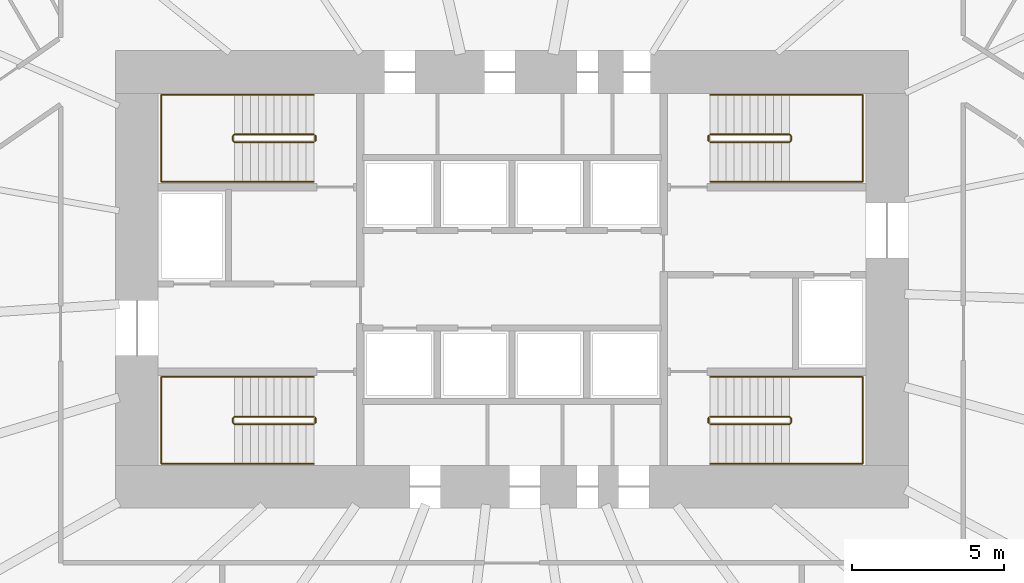
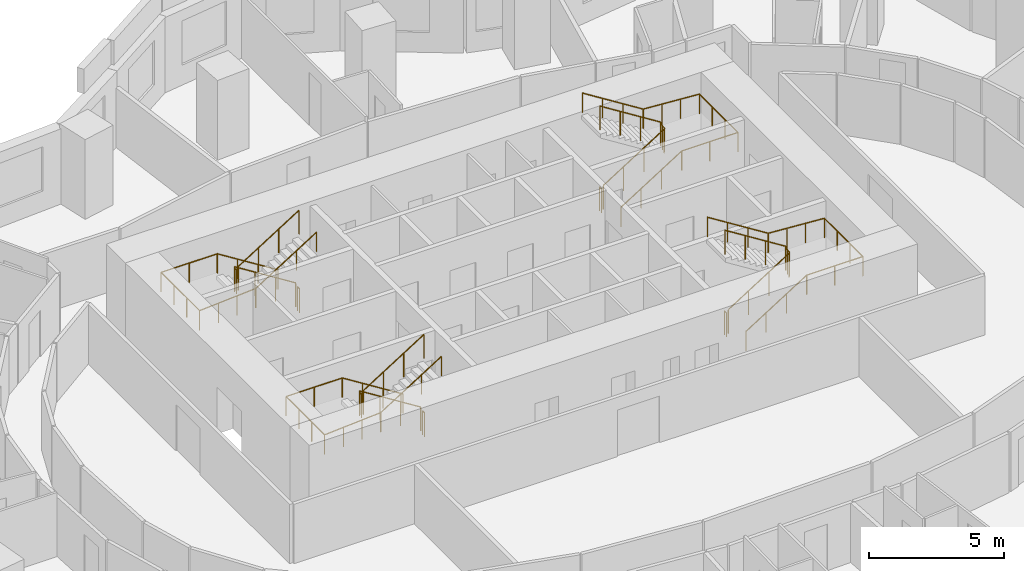
# One storey, part 11 of 11: 12 railings.
"""IFC4 building model written with IfcOpenShell, lengths in metres."""

from ifc_helpers import new_model, si_unit, direction, frame, origin, origin_2d, place, context, subcontext, project, spatial, circle, extrude, material, type_object, element, save


model = new_model("IFC4")

# Units and contexts
model_context = context("Model", 3, precision=1e-05, world=origin(), true_north=direction((0.0, 1.0)))
body_context = subcontext(model_context, "Body", "Model", "MODEL_VIEW")
ifc_project = project(units=[si_unit("LENGTHUNIT", "METRE"), si_unit("AREAUNIT", "SQUARE_METRE"), si_unit("VOLUMEUNIT", "CUBIC_METRE"), si_unit("PLANEANGLEUNIT", "RADIAN"), si_unit("MASSUNIT", "GRAM", prefix="KILO")], contexts=[model_context])

# Site, building, storey
site_placement = place(None, origin())
site = spatial("IfcSite", under=ifc_project, at=site_placement, CompositionType="ELEMENT")
building_placement = place(site_placement, origin())
building = spatial("IfcBuilding", under=site, at=building_placement, Name="Rubra Terraces Tower", CompositionType="ELEMENT")
storey_placement = place(building_placement, frame((0.0, 0.0, 59.10009765625)))
storey = spatial("IfcBuildingStorey", under=building, at=storey_placement, Name="L12", CompositionType="ELEMENT", Elevation=59.10009765625)

# Railings
ifc_material = material(Name="Stainless steel", Category="steel")
railing_type_1 = type_object("IfcRailingType", Name="Core stair guard 1100", PredefinedType="GUARDRAIL", material=ifc_material)
railing_1_placement = place(storey_placement, frame((-6.5, 0.0, 0.16357421875)))
element("IfcRailing", 1, at=railing_1_placement, inside=storey, type_object=railing_type_1, Name="L12 stair S1 guard 1", PredefinedType="GUARDRAIL", context=body_context, shape_type="SweptSolid", body=[
    extrude(circle(Radius=0.02392578125, at=origin_2d()), frame((0.0, 0.0, 1.076171875), z_axis=(-0.846360218416, 0.0, 0.532610909279), x_axis=(0.0, -1.0, 0.0)), (0.0, 0.0, 1.0), 3.072021484375),
    extrude(circle(Radius=0.02392578125, at=origin_2d()), frame((-2.60009765625, 0.0, 2.71240234375), z_axis=(-0.705375805398, -0.708833529934, 0.0), x_axis=(0.708833529934, -0.705375805398, 0.0)), (0.0, 0.0, 1.0), 0.070556640625),
    extrude(circle(Radius=0.02392578125, at=origin_2d()), frame((-2.64990234375, -0.050048828125, 2.71240234375), z_axis=(0.0, -1.0, 0.0), x_axis=(1.0, 0.0, 0.0)), (0.0, 0.0, 1.0), 0.14990234375),
    extrude(circle(Radius=0.02392578125, at=origin_2d()), frame((-2.64990234375, -0.199951171875, 2.71240234375), z_axis=(0.279194930351, -0.280563532951, 0.91833234444), x_axis=(0.708833529934, 0.705375805398, 0.0)), (0.0, 0.0, 1.0), 0.178466796875),
    extrude(circle(Radius=0.02392578125, at=origin_2d()), frame((-2.60009765625, -0.25, 2.8759765625), z_axis=(0.846360218416, 0.0, 0.532610909279), x_axis=(0.0, 1.0, 0.0)), (0.0, 0.0, 1.0), 3.072021484375),
    extrude(circle(Radius=0.02099609375, at=origin_2d()), origin(), (0.0, 0.0, 1.0), 1.052001953125),
    extrude(circle(Radius=0.02099609375, at=origin_2d()), frame((-0.86669921875, 0.0, 0.54541015625)), (0.0, 0.0, 1.0), 1.052001953125),
    extrude(circle(Radius=0.02099609375, at=origin_2d()), frame((-1.7333984375, 0.0, 1.0908203125)), (0.0, 0.0, 1.0), 1.052001953125),
    extrude(circle(Radius=0.02099609375, at=origin_2d()), frame((-2.60009765625, 0.0, 1.63623046875)), (0.0, 0.0, 1.0), 1.052001953125),
    extrude(circle(Radius=0.02099609375, at=origin_2d()), frame((-2.64990234375, -0.050048828125, 1.63623046875)), (0.0, 0.0, 1.0), 1.052001953125),
    extrude(circle(Radius=0.02099609375, at=origin_2d()), frame((-2.64990234375, -0.199951171875, 1.63623046875)), (0.0, 0.0, 1.0), 1.052001953125),
    extrude(circle(Radius=0.02099609375, at=origin_2d()), frame((-2.60009765625, -0.25, 1.800048828125)), (0.0, 0.0, 1.0), 1.052001953125),
    extrude(circle(Radius=0.02099609375, at=origin_2d()), frame((-1.7333984375, -0.25, 2.345458984375)), (0.0, 0.0, 1.0), 1.052001953125),
    extrude(circle(Radius=0.02099609375, at=origin_2d()), frame((-0.86669921875, -0.25, 2.890869140625)), (0.0, 0.0, 1.0), 1.052001953125),
    extrude(circle(Radius=0.02099609375, at=origin_2d()), frame((0.0, -0.25, 3.436279296875)), (0.0, 0.0, 1.0), 1.052001953125),
])
railing_2_placement = place(storey_placement, frame((-6.449951171875, -0.050048828125, 0.0)))
element("IfcRailing", 2, at=railing_2_placement, inside=storey, type_object=railing_type_1, Name="L12 stair S1 guard 2", PredefinedType="GUARDRAIL", context=body_context, shape_type="SweptSolid", body=[
    extrude(circle(Radius=0.02392578125, at=origin_2d()), frame((0.0, 0.0, 1.076171875), z_axis=(0.0, -1.0, 0.0), x_axis=(1.0, 0.0, 0.0)), (0.0, 0.0, 1.0), 0.14990234375),
    extrude(circle(Radius=0.02099609375, at=origin_2d()), origin(), (0.0, 0.0, 1.0), 1.052001953125),
    extrude(circle(Radius=0.02099609375, at=origin_2d()), frame((0.0, -0.14990234375, 0.0)), (0.0, 0.0, 1.0), 1.052001953125),
])
railing_3_placement = place(storey_placement, frame((-6.5, 9.25, 0.16357421875)))
element("IfcRailing", 3, at=railing_3_placement, inside=storey, type_object=railing_type_1, Name="L12 stair S2 guard 1", PredefinedType="GUARDRAIL", context=body_context, shape_type="SweptSolid", body=[
    extrude(circle(Radius=0.02392578125, at=origin_2d()), frame((0.0, 0.0, 1.076171875), z_axis=(-0.846360218416, 0.0, 0.532610909279), x_axis=(0.0, -1.0, 0.0)), (0.0, 0.0, 1.0), 3.072021484375),
    extrude(circle(Radius=0.02392578125, at=origin_2d()), frame((-2.60009765625, 0.0, 2.71240234375), z_axis=(-0.705375805398, -0.708833529934, 0.0), x_axis=(0.708833529934, -0.705375805398, 0.0)), (0.0, 0.0, 1.0), 0.070556640625),
    extrude(circle(Radius=0.02392578125, at=origin_2d()), frame((-2.64990234375, -0.050048828125, 2.71240234375), z_axis=(0.0, -1.0, 0.0), x_axis=(1.0, 0.0, 0.0)), (0.0, 0.0, 1.0), 0.14990234375),
    extrude(circle(Radius=0.02392578125, at=origin_2d()), frame((-2.64990234375, -0.199951171875, 2.71240234375), z_axis=(0.279194930351, -0.280563532951, 0.91833234444), x_axis=(0.708833529934, 0.705375805398, 0.0)), (0.0, 0.0, 1.0), 0.178466796875),
    extrude(circle(Radius=0.02392578125, at=origin_2d()), frame((-2.60009765625, -0.25, 2.8759765625), z_axis=(0.846360218416, 0.0, 0.532610909279), x_axis=(0.0, 1.0, 0.0)), (0.0, 0.0, 1.0), 3.072021484375),
    extrude(circle(Radius=0.02099609375, at=origin_2d()), origin(), (0.0, 0.0, 1.0), 1.052001953125),
    extrude(circle(Radius=0.02099609375, at=origin_2d()), frame((-0.86669921875, 0.0, 0.54541015625)), (0.0, 0.0, 1.0), 1.052001953125),
    extrude(circle(Radius=0.02099609375, at=origin_2d()), frame((-1.7333984375, 0.0, 1.0908203125)), (0.0, 0.0, 1.0), 1.052001953125),
    extrude(circle(Radius=0.02099609375, at=origin_2d()), frame((-2.60009765625, 0.0, 1.63623046875)), (0.0, 0.0, 1.0), 1.052001953125),
    extrude(circle(Radius=0.02099609375, at=origin_2d()), frame((-2.64990234375, -0.050048828125, 1.63623046875)), (0.0, 0.0, 1.0), 1.052001953125),
    extrude(circle(Radius=0.02099609375, at=origin_2d()), frame((-2.64990234375, -0.199951171875, 1.63623046875)), (0.0, 0.0, 1.0), 1.052001953125),
    extrude(circle(Radius=0.02099609375, at=origin_2d()), frame((-2.60009765625, -0.25, 1.800048828125)), (0.0, 0.0, 1.0), 1.052001953125),
    extrude(circle(Radius=0.02099609375, at=origin_2d()), frame((-1.7333984375, -0.25, 2.345458984375)), (0.0, 0.0, 1.0), 1.052001953125),
    extrude(circle(Radius=0.02099609375, at=origin_2d()), frame((-0.86669921875, -0.25, 2.890869140625)), (0.0, 0.0, 1.0), 1.052001953125),
    extrude(circle(Radius=0.02099609375, at=origin_2d()), frame((0.0, -0.25, 3.436279296875)), (0.0, 0.0, 1.0), 1.052001953125),
])
railing_4_placement = place(storey_placement, frame((-6.449951171875, 9.199951171875, 0.0)))
element("IfcRailing", 4, at=railing_4_placement, inside=storey, type_object=railing_type_1, Name="L12 stair S2 guard 2", PredefinedType="GUARDRAIL", context=body_context, shape_type="SweptSolid", body=[
    extrude(circle(Radius=0.02392578125, at=origin_2d()), frame((0.0, 0.0, 1.076171875), z_axis=(0.0, -1.0, 0.0), x_axis=(1.0, 0.0, 0.0)), (0.0, 0.0, 1.0), 0.14990234375),
    extrude(circle(Radius=0.02099609375, at=origin_2d()), origin(), (0.0, 0.0, 1.0), 1.052001953125),
    extrude(circle(Radius=0.02099609375, at=origin_2d()), frame((0.0, -0.14990234375, 0.0)), (0.0, 0.0, 1.0), 1.052001953125),
])
railing_5_placement = place(storey_placement, frame((6.5, 9.0, 0.16357421875)))
element("IfcRailing", 5, at=railing_5_placement, inside=storey, type_object=railing_type_1, Name="L12 stair S3 guard 1", PredefinedType="GUARDRAIL", context=body_context, shape_type="SweptSolid", body=[
    extrude(circle(Radius=0.02392578125, at=origin_2d()), frame((0.0, 0.0, 1.076171875), z_axis=(0.846360218416, 0.0, 0.532610909279), x_axis=(0.0, 1.0, 0.0)), (0.0, 0.0, 1.0), 3.072021484375),
    extrude(circle(Radius=0.02392578125, at=origin_2d()), frame((2.60009765625, 0.0, 2.71240234375), z_axis=(0.705375805398, 0.708833529934, 0.0), x_axis=(-0.708833529934, 0.705375805398, 0.0)), (0.0, 0.0, 1.0), 0.070556640625),
    extrude(circle(Radius=0.02392578125, at=origin_2d()), frame((2.64990234375, 0.050048828125, 2.71240234375), z_axis=(0.0, 1.0, 0.0), x_axis=(-1.0, 0.0, 0.0)), (0.0, 0.0, 1.0), 0.14990234375),
    extrude(circle(Radius=0.02392578125, at=origin_2d()), frame((2.64990234375, 0.199951171875, 2.71240234375), z_axis=(-0.279194930351, 0.280563532951, 0.91833234444), x_axis=(-0.708833529934, -0.705375805398, 0.0)), (0.0, 0.0, 1.0), 0.178466796875),
    extrude(circle(Radius=0.02392578125, at=origin_2d()), frame((2.60009765625, 0.25, 2.8759765625), z_axis=(-0.846360218416, 0.0, 0.532610909279), x_axis=(0.0, -1.0, 0.0)), (0.0, 0.0, 1.0), 3.072021484375),
    extrude(circle(Radius=0.02099609375, at=origin_2d()), origin(), (0.0, 0.0, 1.0), 1.052001953125),
    extrude(circle(Radius=0.02099609375, at=origin_2d()), frame((0.86669921875, 0.0, 0.54541015625)), (0.0, 0.0, 1.0), 1.052001953125),
    extrude(circle(Radius=0.02099609375, at=origin_2d()), frame((1.7333984375, 0.0, 1.0908203125)), (0.0, 0.0, 1.0), 1.052001953125),
    extrude(circle(Radius=0.02099609375, at=origin_2d()), frame((2.60009765625, 0.0, 1.63623046875)), (0.0, 0.0, 1.0), 1.052001953125),
    extrude(circle(Radius=0.02099609375, at=origin_2d()), frame((2.64990234375, 0.050048828125, 1.63623046875)), (0.0, 0.0, 1.0), 1.052001953125),
    extrude(circle(Radius=0.02099609375, at=origin_2d()), frame((2.64990234375, 0.199951171875, 1.63623046875)), (0.0, 0.0, 1.0), 1.052001953125),
    extrude(circle(Radius=0.02099609375, at=origin_2d()), frame((2.60009765625, 0.25, 1.800048828125)), (0.0, 0.0, 1.0), 1.052001953125),
    extrude(circle(Radius=0.02099609375, at=origin_2d()), frame((1.7333984375, 0.25, 2.345458984375)), (0.0, 0.0, 1.0), 1.052001953125),
    extrude(circle(Radius=0.02099609375, at=origin_2d()), frame((0.86669921875, 0.25, 2.890869140625)), (0.0, 0.0, 1.0), 1.052001953125),
    extrude(circle(Radius=0.02099609375, at=origin_2d()), frame((0.0, 0.25, 3.436279296875)), (0.0, 0.0, 1.0), 1.052001953125),
])
railing_6_placement = place(storey_placement, frame((6.449951171875, 9.050048828125, 0.0)))
element("IfcRailing", 6, at=railing_6_placement, inside=storey, type_object=railing_type_1, Name="L12 stair S3 guard 2", PredefinedType="GUARDRAIL", context=body_context, shape_type="SweptSolid", body=[
    extrude(circle(Radius=0.02392578125, at=origin_2d()), frame((0.0, 0.0, 1.076171875), z_axis=(0.0, 1.0, 0.0), x_axis=(-1.0, 0.0, 0.0)), (0.0, 0.0, 1.0), 0.14990234375),
    extrude(circle(Radius=0.02099609375, at=origin_2d()), origin(), (0.0, 0.0, 1.0), 1.052001953125),
    extrude(circle(Radius=0.02099609375, at=origin_2d()), frame((0.0, 0.14990234375, 0.0)), (0.0, 0.0, 1.0), 1.052001953125),
])
railing_7_placement = place(storey_placement, frame((6.5, -0.25, 0.16357421875)))
element("IfcRailing", 7, at=railing_7_placement, inside=storey, type_object=railing_type_1, Name="L12 stair S4 guard 1", PredefinedType="GUARDRAIL", context=body_context, shape_type="SweptSolid", body=[
    extrude(circle(Radius=0.02392578125, at=origin_2d()), frame((0.0, 0.0, 1.076171875), z_axis=(0.846360218416, 0.0, 0.532610909279), x_axis=(0.0, 1.0, 0.0)), (0.0, 0.0, 1.0), 3.072021484375),
    extrude(circle(Radius=0.02392578125, at=origin_2d()), frame((2.60009765625, 0.0, 2.71240234375), z_axis=(0.705375805398, 0.708833529934, 0.0), x_axis=(-0.708833529934, 0.705375805398, 0.0)), (0.0, 0.0, 1.0), 0.070556640625),
    extrude(circle(Radius=0.02392578125, at=origin_2d()), frame((2.64990234375, 0.050048828125, 2.71240234375), z_axis=(0.0, 1.0, 0.0), x_axis=(-1.0, 0.0, 0.0)), (0.0, 0.0, 1.0), 0.14990234375),
    extrude(circle(Radius=0.02392578125, at=origin_2d()), frame((2.64990234375, 0.199951171875, 2.71240234375), z_axis=(-0.279194930351, 0.280563532951, 0.91833234444), x_axis=(-0.708833529934, -0.705375805398, 0.0)), (0.0, 0.0, 1.0), 0.178466796875),
    extrude(circle(Radius=0.02392578125, at=origin_2d()), frame((2.60009765625, 0.25, 2.8759765625), z_axis=(-0.846360218416, 0.0, 0.532610909279), x_axis=(0.0, -1.0, 0.0)), (0.0, 0.0, 1.0), 3.072021484375),
    extrude(circle(Radius=0.02099609375, at=origin_2d()), origin(), (0.0, 0.0, 1.0), 1.052001953125),
    extrude(circle(Radius=0.02099609375, at=origin_2d()), frame((0.86669921875, 0.0, 0.54541015625)), (0.0, 0.0, 1.0), 1.052001953125),
    extrude(circle(Radius=0.02099609375, at=origin_2d()), frame((1.7333984375, 0.0, 1.0908203125)), (0.0, 0.0, 1.0), 1.052001953125),
    extrude(circle(Radius=0.02099609375, at=origin_2d()), frame((2.60009765625, 0.0, 1.63623046875)), (0.0, 0.0, 1.0), 1.052001953125),
    extrude(circle(Radius=0.02099609375, at=origin_2d()), frame((2.64990234375, 0.050048828125, 1.63623046875)), (0.0, 0.0, 1.0), 1.052001953125),
    extrude(circle(Radius=0.02099609375, at=origin_2d()), frame((2.64990234375, 0.199951171875, 1.63623046875)), (0.0, 0.0, 1.0), 1.052001953125),
    extrude(circle(Radius=0.02099609375, at=origin_2d()), frame((2.60009765625, 0.25, 1.800048828125)), (0.0, 0.0, 1.0), 1.052001953125),
    extrude(circle(Radius=0.02099609375, at=origin_2d()), frame((1.7333984375, 0.25, 2.345458984375)), (0.0, 0.0, 1.0), 1.052001953125),
    extrude(circle(Radius=0.02099609375, at=origin_2d()), frame((0.86669921875, 0.25, 2.890869140625)), (0.0, 0.0, 1.0), 1.052001953125),
    extrude(circle(Radius=0.02099609375, at=origin_2d()), frame((0.0, 0.25, 3.436279296875)), (0.0, 0.0, 1.0), 1.052001953125),
])
railing_8_placement = place(storey_placement, frame((6.449951171875, -0.199951171875, 0.0)))
element("IfcRailing", 8, at=railing_8_placement, inside=storey, type_object=railing_type_1, Name="L12 stair S4 guard 2", PredefinedType="GUARDRAIL", context=body_context, shape_type="SweptSolid", body=[
    extrude(circle(Radius=0.02392578125, at=origin_2d()), frame((0.0, 0.0, 1.076171875), z_axis=(0.0, 1.0, 0.0), x_axis=(-1.0, 0.0, 0.0)), (0.0, 0.0, 1.0), 0.14990234375),
    extrude(circle(Radius=0.02099609375, at=origin_2d()), origin(), (0.0, 0.0, 1.0), 1.052001953125),
    extrude(circle(Radius=0.02099609375, at=origin_2d()), frame((0.0, 0.14990234375, 0.0)), (0.0, 0.0, 1.0), 1.052001953125),
])
railing_type_2 = type_object("IfcRailingType", Name="Core stair handrail 900", PredefinedType="HANDRAIL", material=ifc_material)
railing_9_placement = place(storey_placement, frame((-6.5, 1.300048828125, 0.16357421875)))
element("IfcRailing", 9, at=railing_9_placement, inside=storey, type_object=railing_type_2, Name="L12 stair S1 handrail 1", PredefinedType="HANDRAIL", context=body_context, shape_type="SweptSolid", body=[
    extrude(circle(Radius=0.02392578125, at=origin_2d()), frame((0.0, 0.0, 0.8759765625), z_axis=(-0.846360218416, 0.0, 0.532610909279), x_axis=(0.0, -1.0, 0.0)), (0.0, 0.0, 1.0), 3.072021484375),
    extrude(circle(Radius=0.02392578125, at=origin_2d()), frame((-2.60009765625, 0.0, 2.51220703125), z_axis=(-1.0, 0.0, 0.0), x_axis=(0.0, -1.0, 0.0)), (0.0, 0.0, 1.0), 2.39990234375),
    extrude(circle(Radius=0.02392578125, at=origin_2d()), frame((-5.0, 0.0, 2.51220703125), z_axis=(0.0, -1.0, 0.0), x_axis=(1.0, 0.0, 0.0)), (0.0, 0.0, 1.0), 2.85009765625),
    extrude(circle(Radius=0.02392578125, at=origin_2d()), frame((-5.0, -2.85009765625, 2.51220703125), z_axis=(0.997678367104, 0.0, 0.06810195161), x_axis=(0.0, 1.0, 0.0)), (0.0, 0.0, 1.0), 2.405517578125),
    extrude(circle(Radius=0.02392578125, at=origin_2d()), frame((-2.60009765625, -2.85009765625, 2.67578125), z_axis=(0.846360218416, 0.0, 0.532610909279), x_axis=(0.0, 1.0, 0.0)), (0.0, 0.0, 1.0), 3.072021484375),
    extrude(circle(Radius=0.02099609375, at=origin_2d()), origin(), (0.0, 0.0, 1.0), 0.851806640625),
    extrude(circle(Radius=0.02099609375, at=origin_2d()), frame((-0.86669921875, 0.0, 0.54541015625)), (0.0, 0.0, 1.0), 0.851806640625),
    extrude(circle(Radius=0.02099609375, at=origin_2d()), frame((-1.7333984375, 0.0, 1.0908203125)), (0.0, 0.0, 1.0), 0.851806640625),
    extrude(circle(Radius=0.02099609375, at=origin_2d()), frame((-2.60009765625, 0.0, 1.63623046875)), (0.0, 0.0, 1.0), 0.851806640625),
    extrude(circle(Radius=0.02099609375, at=origin_2d()), frame((-3.800048828125, 0.0, 1.63623046875)), (0.0, 0.0, 1.0), 0.851806640625),
    extrude(circle(Radius=0.02099609375, at=origin_2d()), frame((-5.0, 0.0, 1.63623046875)), (0.0, 0.0, 1.0), 0.851806640625),
    extrude(circle(Radius=0.02099609375, at=origin_2d()), frame((-5.0, -0.949951171875, 1.63623046875)), (0.0, 0.0, 1.0), 0.851806640625),
    extrude(circle(Radius=0.02099609375, at=origin_2d()), frame((-5.0, -1.900146484375, 1.63623046875)), (0.0, 0.0, 1.0), 0.851806640625),
    extrude(circle(Radius=0.02099609375, at=origin_2d()), frame((-5.0, -2.85009765625, 1.63623046875)), (0.0, 0.0, 1.0), 0.851806640625),
    extrude(circle(Radius=0.02099609375, at=origin_2d()), frame((-4.199951171875, -2.85009765625, 1.69091796875)), (0.0, 0.0, 1.0), 0.851806640625),
    extrude(circle(Radius=0.02099609375, at=origin_2d()), frame((-3.400146484375, -2.85009765625, 1.745361328125)), (0.0, 0.0, 1.0), 0.851806640625),
    extrude(circle(Radius=0.02099609375, at=origin_2d()), frame((-2.60009765625, -2.85009765625, 1.800048828125)), (0.0, 0.0, 1.0), 0.851806640625),
    extrude(circle(Radius=0.02099609375, at=origin_2d()), frame((-1.7333984375, -2.85009765625, 2.345458984375)), (0.0, 0.0, 1.0), 0.851806640625),
    extrude(circle(Radius=0.02099609375, at=origin_2d()), frame((-0.86669921875, -2.85009765625, 2.890869140625)), (0.0, 0.0, 1.0), 0.851806640625),
    extrude(circle(Radius=0.02099609375, at=origin_2d()), frame((0.0, -2.85009765625, 3.436279296875)), (0.0, 0.0, 1.0), 0.851806640625),
])
railing_10_placement = place(storey_placement, frame((-6.5, 10.550048828125, 0.16357421875)))
element("IfcRailing", 10, at=railing_10_placement, inside=storey, type_object=railing_type_2, Name="L12 stair S2 handrail 1", PredefinedType="HANDRAIL", context=body_context, shape_type="SweptSolid", body=[
    extrude(circle(Radius=0.02392578125, at=origin_2d()), frame((0.0, 0.0, 0.8759765625), z_axis=(-0.846360218416, 0.0, 0.532610909279), x_axis=(0.0, -1.0, 0.0)), (0.0, 0.0, 1.0), 3.072021484375),
    extrude(circle(Radius=0.02392578125, at=origin_2d()), frame((-2.60009765625, 0.0, 2.51220703125), z_axis=(-1.0, 0.0, 0.0), x_axis=(0.0, -1.0, 0.0)), (0.0, 0.0, 1.0), 2.39990234375),
    extrude(circle(Radius=0.02392578125, at=origin_2d()), frame((-5.0, 0.0, 2.51220703125), z_axis=(0.0, -1.0, 0.0), x_axis=(1.0, 0.0, 0.0)), (0.0, 0.0, 1.0), 2.85009765625),
    extrude(circle(Radius=0.02392578125, at=origin_2d()), frame((-5.0, -2.85009765625, 2.51220703125), z_axis=(0.997678367104, 0.0, 0.06810195161), x_axis=(0.0, 1.0, 0.0)), (0.0, 0.0, 1.0), 2.405517578125),
    extrude(circle(Radius=0.02392578125, at=origin_2d()), frame((-2.60009765625, -2.85009765625, 2.67578125), z_axis=(0.846360218416, 0.0, 0.532610909279), x_axis=(0.0, 1.0, 0.0)), (0.0, 0.0, 1.0), 3.072021484375),
    extrude(circle(Radius=0.02099609375, at=origin_2d()), origin(), (0.0, 0.0, 1.0), 0.851806640625),
    extrude(circle(Radius=0.02099609375, at=origin_2d()), frame((-0.86669921875, 0.0, 0.54541015625)), (0.0, 0.0, 1.0), 0.851806640625),
    extrude(circle(Radius=0.02099609375, at=origin_2d()), frame((-1.7333984375, 0.0, 1.0908203125)), (0.0, 0.0, 1.0), 0.851806640625),
    extrude(circle(Radius=0.02099609375, at=origin_2d()), frame((-2.60009765625, 0.0, 1.63623046875)), (0.0, 0.0, 1.0), 0.851806640625),
    extrude(circle(Radius=0.02099609375, at=origin_2d()), frame((-3.800048828125, 0.0, 1.63623046875)), (0.0, 0.0, 1.0), 0.851806640625),
    extrude(circle(Radius=0.02099609375, at=origin_2d()), frame((-5.0, 0.0, 1.63623046875)), (0.0, 0.0, 1.0), 0.851806640625),
    extrude(circle(Radius=0.02099609375, at=origin_2d()), frame((-5.0, -0.949951171875, 1.63623046875)), (0.0, 0.0, 1.0), 0.851806640625),
    extrude(circle(Radius=0.02099609375, at=origin_2d()), frame((-5.0, -1.900146484375, 1.63623046875)), (0.0, 0.0, 1.0), 0.851806640625),
    extrude(circle(Radius=0.02099609375, at=origin_2d()), frame((-5.0, -2.85009765625, 1.63623046875)), (0.0, 0.0, 1.0), 0.851806640625),
    extrude(circle(Radius=0.02099609375, at=origin_2d()), frame((-4.199951171875, -2.85009765625, 1.69091796875)), (0.0, 0.0, 1.0), 0.851806640625),
    extrude(circle(Radius=0.02099609375, at=origin_2d()), frame((-3.400146484375, -2.85009765625, 1.745361328125)), (0.0, 0.0, 1.0), 0.851806640625),
    extrude(circle(Radius=0.02099609375, at=origin_2d()), frame((-2.60009765625, -2.85009765625, 1.800048828125)), (0.0, 0.0, 1.0), 0.851806640625),
    extrude(circle(Radius=0.02099609375, at=origin_2d()), frame((-1.7333984375, -2.85009765625, 2.345458984375)), (0.0, 0.0, 1.0), 0.851806640625),
    extrude(circle(Radius=0.02099609375, at=origin_2d()), frame((-0.86669921875, -2.85009765625, 2.890869140625)), (0.0, 0.0, 1.0), 0.851806640625),
    extrude(circle(Radius=0.02099609375, at=origin_2d()), frame((0.0, -2.85009765625, 3.436279296875)), (0.0, 0.0, 1.0), 0.851806640625),
])
railing_11_placement = place(storey_placement, frame((6.5, 7.699951171875, 0.16357421875)))
element("IfcRailing", 11, at=railing_11_placement, inside=storey, type_object=railing_type_2, Name="L12 stair S3 handrail 1", PredefinedType="HANDRAIL", context=body_context, shape_type="SweptSolid", body=[
    extrude(circle(Radius=0.02392578125, at=origin_2d()), frame((0.0, 0.0, 0.8759765625), z_axis=(0.846360218416, 0.0, 0.532610909279), x_axis=(0.0, 1.0, 0.0)), (0.0, 0.0, 1.0), 3.072021484375),
    extrude(circle(Radius=0.02392578125, at=origin_2d()), frame((2.60009765625, 0.0, 2.51220703125), z_axis=(1.0, 0.0, 0.0), x_axis=(0.0, 1.0, 0.0)), (0.0, 0.0, 1.0), 2.39990234375),
    extrude(circle(Radius=0.02392578125, at=origin_2d()), frame((5.0, 0.0, 2.51220703125), z_axis=(0.0, 1.0, 0.0), x_axis=(-1.0, 0.0, 0.0)), (0.0, 0.0, 1.0), 2.85009765625),
    extrude(circle(Radius=0.02392578125, at=origin_2d()), frame((5.0, 2.85009765625, 2.51220703125), z_axis=(-0.997678367104, 0.0, 0.06810195161), x_axis=(0.0, -1.0, 0.0)), (0.0, 0.0, 1.0), 2.405517578125),
    extrude(circle(Radius=0.02392578125, at=origin_2d()), frame((2.60009765625, 2.85009765625, 2.67578125), z_axis=(-0.846360218416, 0.0, 0.532610909279), x_axis=(0.0, -1.0, 0.0)), (0.0, 0.0, 1.0), 3.072021484375),
    extrude(circle(Radius=0.02099609375, at=origin_2d()), origin(), (0.0, 0.0, 1.0), 0.851806640625),
    extrude(circle(Radius=0.02099609375, at=origin_2d()), frame((0.86669921875, 0.0, 0.54541015625)), (0.0, 0.0, 1.0), 0.851806640625),
    extrude(circle(Radius=0.02099609375, at=origin_2d()), frame((1.7333984375, 0.0, 1.0908203125)), (0.0, 0.0, 1.0), 0.851806640625),
    extrude(circle(Radius=0.02099609375, at=origin_2d()), frame((2.60009765625, 0.0, 1.63623046875)), (0.0, 0.0, 1.0), 0.851806640625),
    extrude(circle(Radius=0.02099609375, at=origin_2d()), frame((3.800048828125, 0.0, 1.63623046875)), (0.0, 0.0, 1.0), 0.851806640625),
    extrude(circle(Radius=0.02099609375, at=origin_2d()), frame((5.0, 0.0, 1.63623046875)), (0.0, 0.0, 1.0), 0.851806640625),
    extrude(circle(Radius=0.02099609375, at=origin_2d()), frame((5.0, 0.949951171875, 1.63623046875)), (0.0, 0.0, 1.0), 0.851806640625),
    extrude(circle(Radius=0.02099609375, at=origin_2d()), frame((5.0, 1.900146484375, 1.63623046875)), (0.0, 0.0, 1.0), 0.851806640625),
    extrude(circle(Radius=0.02099609375, at=origin_2d()), frame((5.0, 2.85009765625, 1.63623046875)), (0.0, 0.0, 1.0), 0.851806640625),
    extrude(circle(Radius=0.02099609375, at=origin_2d()), frame((4.199951171875, 2.85009765625, 1.69091796875)), (0.0, 0.0, 1.0), 0.851806640625),
    extrude(circle(Radius=0.02099609375, at=origin_2d()), frame((3.400146484375, 2.85009765625, 1.745361328125)), (0.0, 0.0, 1.0), 0.851806640625),
    extrude(circle(Radius=0.02099609375, at=origin_2d()), frame((2.60009765625, 2.85009765625, 1.800048828125)), (0.0, 0.0, 1.0), 0.851806640625),
    extrude(circle(Radius=0.02099609375, at=origin_2d()), frame((1.7333984375, 2.85009765625, 2.345458984375)), (0.0, 0.0, 1.0), 0.851806640625),
    extrude(circle(Radius=0.02099609375, at=origin_2d()), frame((0.86669921875, 2.85009765625, 2.890869140625)), (0.0, 0.0, 1.0), 0.851806640625),
    extrude(circle(Radius=0.02099609375, at=origin_2d()), frame((0.0, 2.85009765625, 3.436279296875)), (0.0, 0.0, 1.0), 0.851806640625),
])
railing_12_placement = place(storey_placement, frame((6.5, -1.550048828125, 0.16357421875)))
element("IfcRailing", 12, at=railing_12_placement, inside=storey, type_object=railing_type_2, Name="L12 stair S4 handrail 1", PredefinedType="HANDRAIL", context=body_context, shape_type="SweptSolid", body=[
    extrude(circle(Radius=0.02392578125, at=origin_2d()), frame((0.0, 0.0, 0.8759765625), z_axis=(0.846360218416, 0.0, 0.532610909279), x_axis=(0.0, 1.0, 0.0)), (0.0, 0.0, 1.0), 3.072021484375),
    extrude(circle(Radius=0.02392578125, at=origin_2d()), frame((2.60009765625, 0.0, 2.51220703125), z_axis=(1.0, 0.0, 0.0), x_axis=(0.0, 1.0, 0.0)), (0.0, 0.0, 1.0), 2.39990234375),
    extrude(circle(Radius=0.02392578125, at=origin_2d()), frame((5.0, 0.0, 2.51220703125), z_axis=(0.0, 1.0, 0.0), x_axis=(-1.0, 0.0, 0.0)), (0.0, 0.0, 1.0), 2.85009765625),
    extrude(circle(Radius=0.02392578125, at=origin_2d()), frame((5.0, 2.85009765625, 2.51220703125), z_axis=(-0.997678367104, 0.0, 0.06810195161), x_axis=(0.0, -1.0, 0.0)), (0.0, 0.0, 1.0), 2.405517578125),
    extrude(circle(Radius=0.02392578125, at=origin_2d()), frame((2.60009765625, 2.85009765625, 2.67578125), z_axis=(-0.846360218416, 0.0, 0.532610909279), x_axis=(0.0, -1.0, 0.0)), (0.0, 0.0, 1.0), 3.072021484375),
    extrude(circle(Radius=0.02099609375, at=origin_2d()), origin(), (0.0, 0.0, 1.0), 0.851806640625),
    extrude(circle(Radius=0.02099609375, at=origin_2d()), frame((0.86669921875, 0.0, 0.54541015625)), (0.0, 0.0, 1.0), 0.851806640625),
    extrude(circle(Radius=0.02099609375, at=origin_2d()), frame((1.7333984375, 0.0, 1.0908203125)), (0.0, 0.0, 1.0), 0.851806640625),
    extrude(circle(Radius=0.02099609375, at=origin_2d()), frame((2.60009765625, 0.0, 1.63623046875)), (0.0, 0.0, 1.0), 0.851806640625),
    extrude(circle(Radius=0.02099609375, at=origin_2d()), frame((3.800048828125, 0.0, 1.63623046875)), (0.0, 0.0, 1.0), 0.851806640625),
    extrude(circle(Radius=0.02099609375, at=origin_2d()), frame((5.0, 0.0, 1.63623046875)), (0.0, 0.0, 1.0), 0.851806640625),
    extrude(circle(Radius=0.02099609375, at=origin_2d()), frame((5.0, 0.949951171875, 1.63623046875)), (0.0, 0.0, 1.0), 0.851806640625),
    extrude(circle(Radius=0.02099609375, at=origin_2d()), frame((5.0, 1.900146484375, 1.63623046875)), (0.0, 0.0, 1.0), 0.851806640625),
    extrude(circle(Radius=0.02099609375, at=origin_2d()), frame((5.0, 2.85009765625, 1.63623046875)), (0.0, 0.0, 1.0), 0.851806640625),
    extrude(circle(Radius=0.02099609375, at=origin_2d()), frame((4.199951171875, 2.85009765625, 1.69091796875)), (0.0, 0.0, 1.0), 0.851806640625),
    extrude(circle(Radius=0.02099609375, at=origin_2d()), frame((3.400146484375, 2.85009765625, 1.745361328125)), (0.0, 0.0, 1.0), 0.851806640625),
    extrude(circle(Radius=0.02099609375, at=origin_2d()), frame((2.60009765625, 2.85009765625, 1.800048828125)), (0.0, 0.0, 1.0), 0.851806640625),
    extrude(circle(Radius=0.02099609375, at=origin_2d()), frame((1.7333984375, 2.85009765625, 2.345458984375)), (0.0, 0.0, 1.0), 0.851806640625),
    extrude(circle(Radius=0.02099609375, at=origin_2d()), frame((0.86669921875, 2.85009765625, 2.890869140625)), (0.0, 0.0, 1.0), 0.851806640625),
    extrude(circle(Radius=0.02099609375, at=origin_2d()), frame((0.0, 2.85009765625, 3.436279296875)), (0.0, 0.0, 1.0), 0.851806640625),
])

save(model, "model.ifc")
